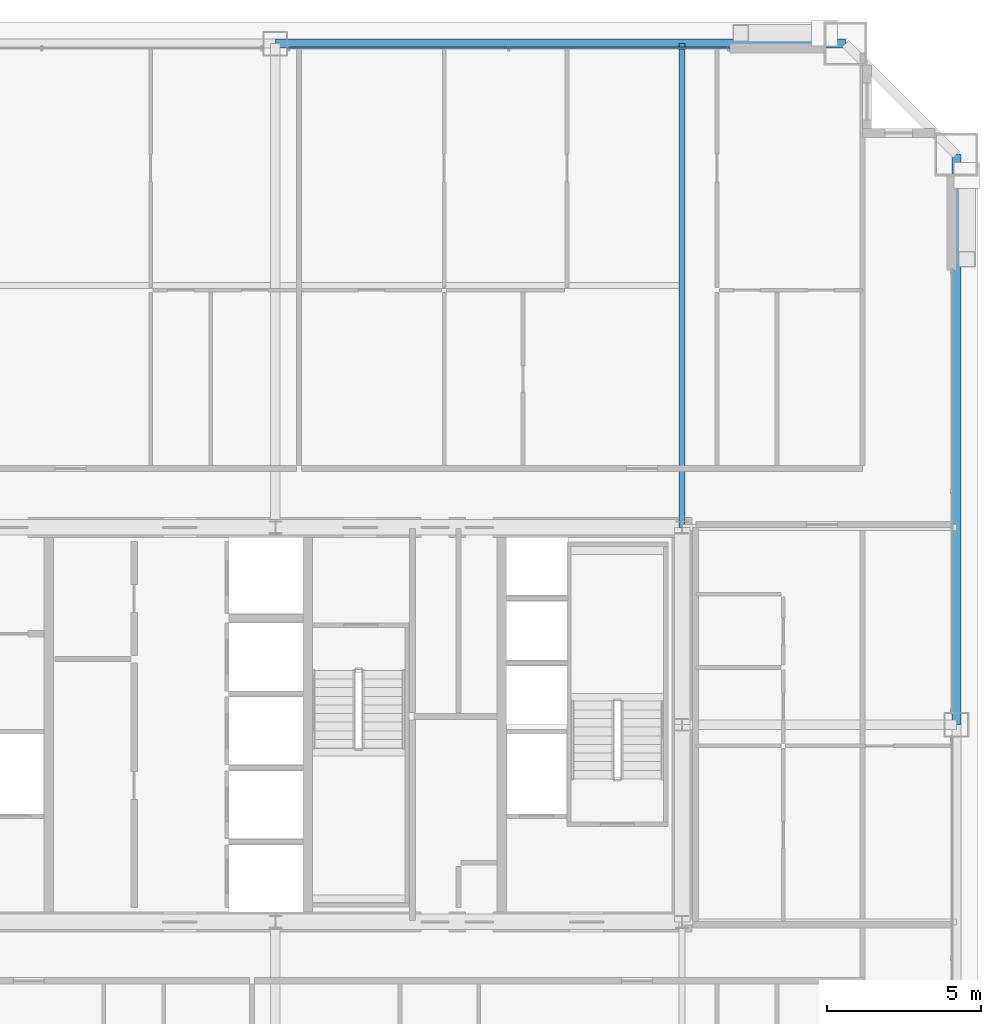
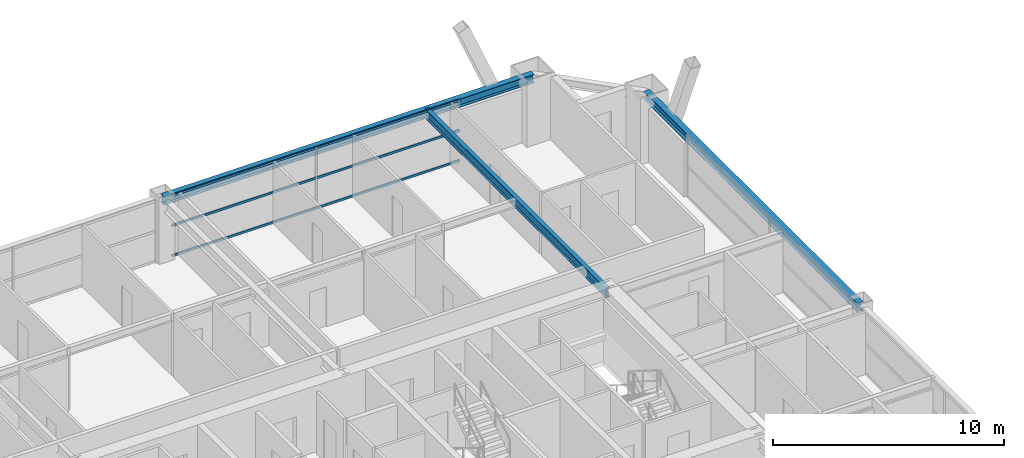
# One storey, part 37 of 45: 3 beams, 3 members, 1 element without a shape of its own.
"""IFC4 building model written with IfcOpenShell, lengths in metres."""

from ifc_helpers import new_model, si_unit, direction, frame, origin, origin_2d, place, context, subcontext, project, spatial, hollow_rectangle, i_section, extrude, source, transform, mapped, material, layer, layer_set, material_profile, profile_set, type_object, element, aggregate, save


model = new_model("IFC4")

# Units and contexts
model_context = context("Model", 3, precision=1e-05, world=origin(), true_north=direction((0.0, 1.0)))
body_context = subcontext(model_context, "Body", "Model", "MODEL_VIEW")
ifc_project = project(units=[si_unit("LENGTHUNIT", "METRE"), si_unit("AREAUNIT", "SQUARE_METRE"), si_unit("VOLUMEUNIT", "CUBIC_METRE"), si_unit("PLANEANGLEUNIT", "RADIAN"), si_unit("MASSUNIT", "GRAM", prefix="KILO"), si_unit("THERMODYNAMICTEMPERATUREUNIT", "KELVIN"), si_unit("POWERUNIT", "WATT")], contexts=[model_context])

# Site, building, storey
site_placement = place(None, origin())
site = spatial("IfcSite", under=ifc_project, at=site_placement, CompositionType="ELEMENT")
building_placement = place(site_placement, origin())
building = spatial("IfcBuilding", under=site, at=building_placement, Name="Yuzanri Waterfront Tower", CompositionType="ELEMENT")
storey_placement = place(building_placement, frame((0.0, 0.0, 198.5)))
storey = spatial("IfcBuildingStorey", under=building, at=storey_placement, Name="L52", CompositionType="ELEMENT", Elevation=198.5)

# Beams
ifc_material_1 = material(Name="Steel Q355B", Category="steel")
ifc_material_profile_1 = material_profile(ifc_material_1, i_section(OverallWidth=0.300048828125, OverallDepth=0.43994140625, WebThickness=0.010986328125, FlangeThickness=0.01806640625, at=origin_2d()), Name="HM 440x300x11x18")
ifc_profile_set_1 = profile_set([ifc_material_profile_1], Name="Steel Q355B")
beam_type_1 = type_object("IfcBeamType", Name="Perimeter Spandrel Q355B HM 440x300", PredefinedType="SPANDREL", material=ifc_profile_set_1)
shared_shape_1 = source(origin(), body_context, "Body", "SweptSolid", [
    extrude(i_section(OverallWidth=0.300048828125, OverallDepth=0.43994140625, WebThickness=0.010986328125, FlangeThickness=0.01806640625, at=origin_2d()), origin(), (0.0, 0.0, 1.0), 18.5),
])
for number, where, z_axis, x_axis, name in (
    (1, (59.10009765625, 25.800048828125, 3.06005859375), (0.0, 1.0, 0.0), (-1.0, 0.0, 0.0), "L52 Perimeter Spandrel E2-E3"),
    (2, (55.5, 47.89990234375, 3.06005859375), (-1.0, 0.0, 0.0), (0.0, -1.0, 0.0), "L52 Perimeter Spandrel N3-N2"),
):
    element("IfcBeam", number, at=place(storey_placement, frame(where, z_axis=z_axis, x_axis=x_axis)), inside=storey, type_object=beam_type_1, Name=name, PredefinedType="SPANDREL", context=body_context, shape_type="MappedRepresentation", body=[
        mapped(shared_shape_1, transform((0.0, 0.0, 0.0), scale=1.0)),
    ])
ifc_material_2 = material(Name="Steel Q355B", Category="steel")
ifc_material_profile_2 = material_profile(ifc_material_2, i_section(OverallWidth=0.199951171875, OverallDepth=0.5, WebThickness=0.010009765625, FlangeThickness=0.01611328125, at=origin_2d()), Name="HN 500x200x10x16")
ifc_profile_set_2 = profile_set([ifc_material_profile_2], Name="Steel Q355B")
beam_type_2 = type_object("IfcBeamType", Name="Secondary Floor Beam Q355B HN 500x200", PredefinedType="BEAM", material=ifc_profile_set_2)
shared_shape_2 = source(origin(), body_context, "Body", "SweptSolid", [
    extrude(i_section(OverallWidth=0.199951171875, OverallDepth=0.5, WebThickness=0.010009765625, FlangeThickness=0.01611328125, at=origin_2d()), origin(), (0.0, 0.0, 1.0), 15.699951171875),
])
beam_placement = place(storey_placement, frame((50.199951171875, 32.199951171875, 3.030029296875), z_axis=(0.0, 1.0, 0.0), x_axis=(-1.0, 0.0, 0.0)))
element("IfcBeam", 3, at=beam_placement, inside=storey, type_object=beam_type_2, Name="L52 North-East Core Line Beam", PredefinedType="BEAM", context=body_context, shape_type="MappedRepresentation", body=[
    mapped(shared_shape_2, transform((0.0, 0.0, 0.0), scale=1.0)),
])

# Curtain wall, members
ifc_material_3 = material(Name="Anodized Architectural Bronze", Category="metal")
ifc_layer = layer(ifc_material_3, 0.159912109375)
ifc_layer_set = layer_set([ifc_layer], Name="Anodized Architectural Bronze")
curtain_wall_type = type_object("IfcCurtainWallType", Name="Anodized Bronze Mid-Rise Residential Acoustic Unitized Curtain Wall 7200", PredefinedType="NOTDEFINED", material=ifc_layer_set)
curtain_wall_placement = place(storey_placement, origin())
curtain_wall = element("IfcCurtainWall", 4, at=curtain_wall_placement, inside=storey, type_object=curtain_wall_type, Name="L52 Curtain Wall CW-L52-NR", PredefinedType="NOTDEFINED")
ifc_material_4 = material(Name="Anodized Architectural Bronze", Category="metal")
ifc_material_profile_3 = material_profile(ifc_material_4, hollow_rectangle(XDim=0.06494140625, YDim=0.1201171875, WallThickness=0.00341796875, at=origin_2d()), Name="CWT 65x120")
ifc_profile_set_3 = profile_set([ifc_material_profile_3], Name="Anodized Architectural Bronze")
member_type = type_object("IfcMemberType", Name="Anodized Bronze Secondary Curtain-Wall Transom 65x120", PredefinedType="USERDEFINED", material=ifc_profile_set_3)
shared_shape_3 = source(origin(), body_context, "Body", "SweptSolid", [
    extrude(hollow_rectangle(XDim=0.06494140625, YDim=0.1201171875, WallThickness=0.00341796875, at=origin_2d()), origin(), (0.0, 0.0, 1.0), 14.35009765625),
])
member_1_placement = place(storey_placement, frame((37.39990234375, 47.75, 0.050048828125), z_axis=(1.0, 0.0, 0.0), x_axis=(0.0, 1.0, 0.0)))
member_1 = element("IfcMember", 5, at=member_1_placement, type_object=member_type, Name="CW-L52-NR Transom 1", ObjectType="TRANSOM", PredefinedType="USERDEFINED", context=body_context, shape_type="MappedRepresentation", body=[
    mapped(shared_shape_3, transform((0.0, 0.0, 0.0), scale=1.0)),
])
member_2_placement = place(storey_placement, frame((37.39990234375, 47.75, 1.639892578125), z_axis=(1.0, 0.0, 0.0), x_axis=(0.0, 1.0, 0.0)))
member_2 = element("IfcMember", 6, at=member_2_placement, type_object=member_type, Name="CW-L52-NR Transom 2", ObjectType="TRANSOM", PredefinedType="USERDEFINED", context=body_context, shape_type="MappedRepresentation", body=[
    mapped(shared_shape_3, transform((0.0, 0.0, 0.0), scale=1.0)),
])
member_3_placement = place(storey_placement, frame((37.39990234375, 47.75, 3.22998046875), z_axis=(1.0, 0.0, 0.0), x_axis=(0.0, 1.0, 0.0)))
member_3 = element("IfcMember", 7, at=member_3_placement, type_object=member_type, Name="CW-L52-NR Transom 3", ObjectType="TRANSOM", PredefinedType="USERDEFINED", context=body_context, shape_type="MappedRepresentation", body=[
    mapped(shared_shape_3, transform((0.0, 0.0, 0.0), scale=1.0)),
])
aggregate(curtain_wall, [member_1, member_2, member_3])

save(model, "model.ifc")
